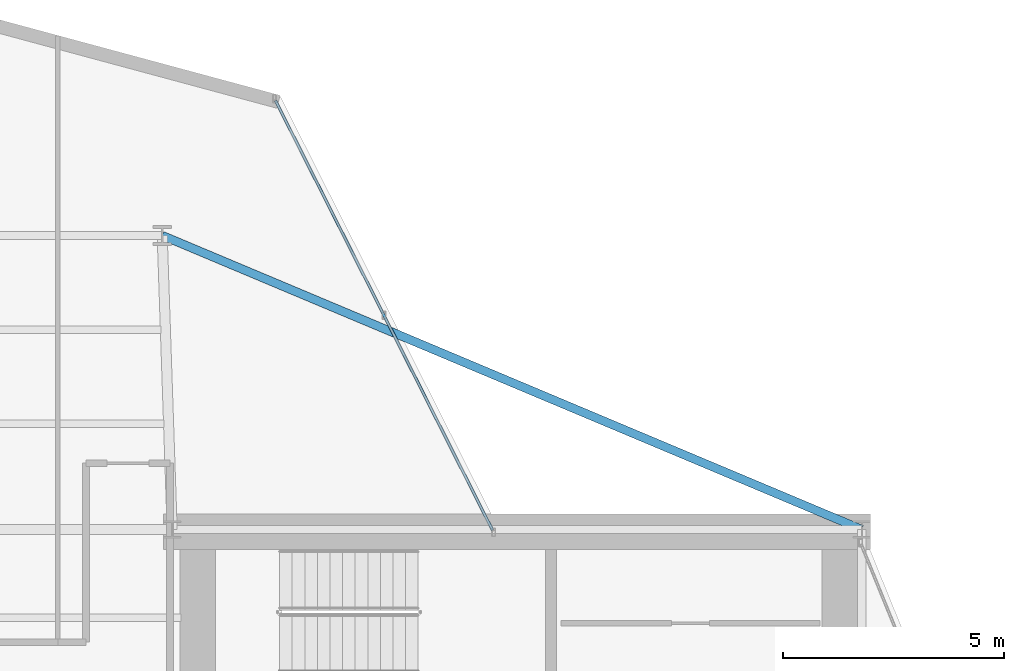
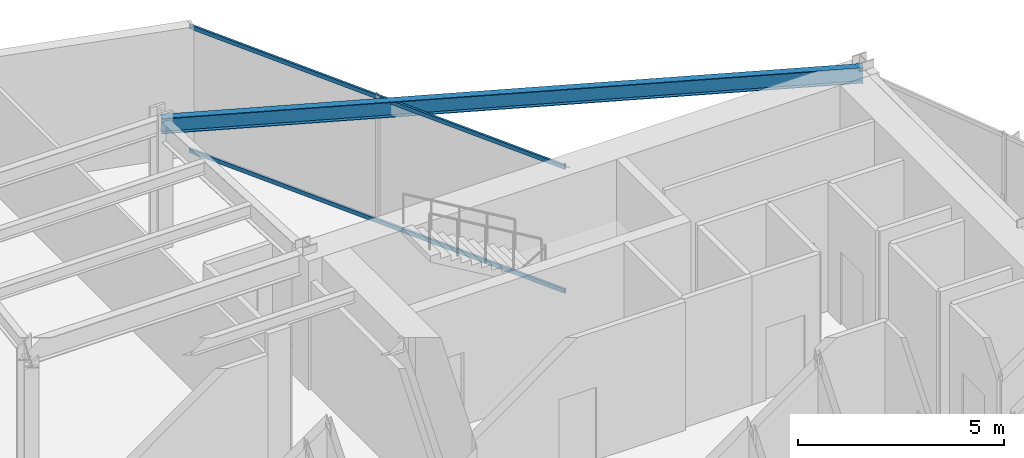
# One storey, part 17 of 26: 2 members, 1 beam, 1 element without a shape of its own.
"""IFC4 building model written with IfcOpenShell, lengths in metres."""

from ifc_helpers import new_model, si_unit, direction, frame, origin, origin_2d, place, context, subcontext, project, spatial, hollow_rectangle, i_section, extrude, material, layer, layer_set, material_profile, profile_set, type_object, element, aggregate, save


model = new_model("IFC4")

# Units and contexts
model_context = context("Model", 3, precision=1e-05, world=origin(), true_north=direction((0.0, 1.0)))
body_context = subcontext(model_context, "Body", "Model", "MODEL_VIEW")
ifc_project = project(units=[si_unit("LENGTHUNIT", "METRE"), si_unit("AREAUNIT", "SQUARE_METRE"), si_unit("VOLUMEUNIT", "CUBIC_METRE"), si_unit("PLANEANGLEUNIT", "RADIAN"), si_unit("MASSUNIT", "GRAM", prefix="KILO")], contexts=[model_context])

# Site, building, storey
site_placement = place(None, origin())
site = spatial("IfcSite", under=ifc_project, at=site_placement, CompositionType="ELEMENT")
building_placement = place(site_placement, origin())
building = spatial("IfcBuilding", under=site, at=building_placement, Name="Veymaron Broadcast Tower", CompositionType="ELEMENT")
storey_placement = place(building_placement, frame((0.0, 0.0, 133.050048828125)))
storey = spatial("IfcBuildingStorey", under=building, at=storey_placement, Name="L30", CompositionType="ELEMENT", Elevation=133.050048828125)

# Beam
ifc_material_1 = material(Name="Structural steel ASTM A992 Gr 50", Category="steel")
ifc_material_profile_1 = material_profile(ifc_material_1, i_section(OverallWidth=0.19091796875, OverallDepth=0.4599609375, WebThickness=0.010009765625, FlangeThickness=0.01611328125, at=origin_2d()), Name="W460X82")
ifc_profile_set_1 = profile_set([ifc_material_profile_1], Name="Structural steel ASTM A992 Gr 50")
beam_type = type_object("IfcBeamType", Name="BM-SP1", PredefinedType="SPANDREL", material=ifc_profile_set_1)
beam_placement = place(storey_placement, frame((54.60009765625, 32.0, 3.579833984375), z_axis=(-0.921913032928, 0.38739690205, 0.0), x_axis=(-0.38739690205, -0.921913032928, 0.0)))
element("IfcBeam", 1, at=beam_placement, inside=storey, type_object=beam_type, Name="L30 primary structural floor girder", PredefinedType="SPANDREL", context=body_context, shape_type="SweptSolid", body=[
    extrude(i_section(OverallWidth=0.19091796875, OverallDepth=0.4599609375, WebThickness=0.010009765625, FlangeThickness=0.01611328125, at=origin_2d()), origin(), (0.0, 0.0, 1.0), 17.16552734375),
])

# Curtain wall, members
ifc_material_2 = material(Name="Anodised aluminium AA 6063-T6 and laminated low-E dark glass", Category="aluminium")
ifc_layer = layer(ifc_material_2, 0.179931640625)
ifc_layer_set = layer_set([ifc_layer], Name="Anodised aluminium AA 6063-T6 and laminated low-E dark glass")
curtain_wall_type = type_object("IfcCurtainWallType", Name="CW-SYS-03", PredefinedType="NOTDEFINED", material=ifc_layer_set)
curtain_wall_placement = place(storey_placement, origin())
curtain_wall = element("IfcCurtainWall", 2, at=curtain_wall_placement, inside=storey, type_object=curtain_wall_type, Name="L30 dark-glass curtain wall CW-L30-E5-1", PredefinedType="NOTDEFINED")
ifc_material_3 = material(Name="Anodised aluminium AA 6063-T6", Category="aluminium")
ifc_material_profile_2 = material_profile(ifc_material_3, hollow_rectangle(XDim=0.06005859375, YDim=0.1201171875, WallThickness=0.00390625, at=origin_2d()), Name="AL120X60X4")
ifc_profile_set_2 = profile_set([ifc_material_profile_2], Name="Anodised aluminium AA 6063-T6")
member_type = type_object("IfcMemberType", Name="CW-TRN-02", PredefinedType="USERDEFINED", material=ifc_profile_set_2)
member_1_placement = place(storey_placement, frame((46.248291015625, 31.9814453125, 0.070068359375), z_axis=(-0.45091301008, 0.892567900689, 0.0), x_axis=(-0.892567900689, -0.45091301008, 0.0)))
member_1 = element("IfcMember", 3, at=member_1_placement, type_object=member_type, Name="CW-L30-E5-1 transom B", ObjectType="TRANSOM", PredefinedType="USERDEFINED", context=body_context, shape_type="SweptSolid", body=[
    extrude(hollow_rectangle(XDim=0.06005859375, YDim=0.1201171875, WallThickness=0.00390625, at=origin_2d()), origin(), (0.0, 0.0, 1.0), 10.890869140625),
])
member_2_placement = place(storey_placement, frame((46.248291015625, 31.9814453125, 3.739990234375), z_axis=(-0.45091301008, 0.892567900689, 0.0), x_axis=(-0.892567900689, -0.45091301008, 0.0)))
member_2 = element("IfcMember", 4, at=member_2_placement, type_object=member_type, Name="CW-L30-E5-1 transom T", ObjectType="TRANSOM", PredefinedType="USERDEFINED", context=body_context, shape_type="SweptSolid", body=[
    extrude(hollow_rectangle(XDim=0.06005859375, YDim=0.1201171875, WallThickness=0.00390625, at=origin_2d()), origin(), (0.0, 0.0, 1.0), 10.890869140625),
])
aggregate(curtain_wall, [member_1, member_2])

save(model, "model.ifc")
